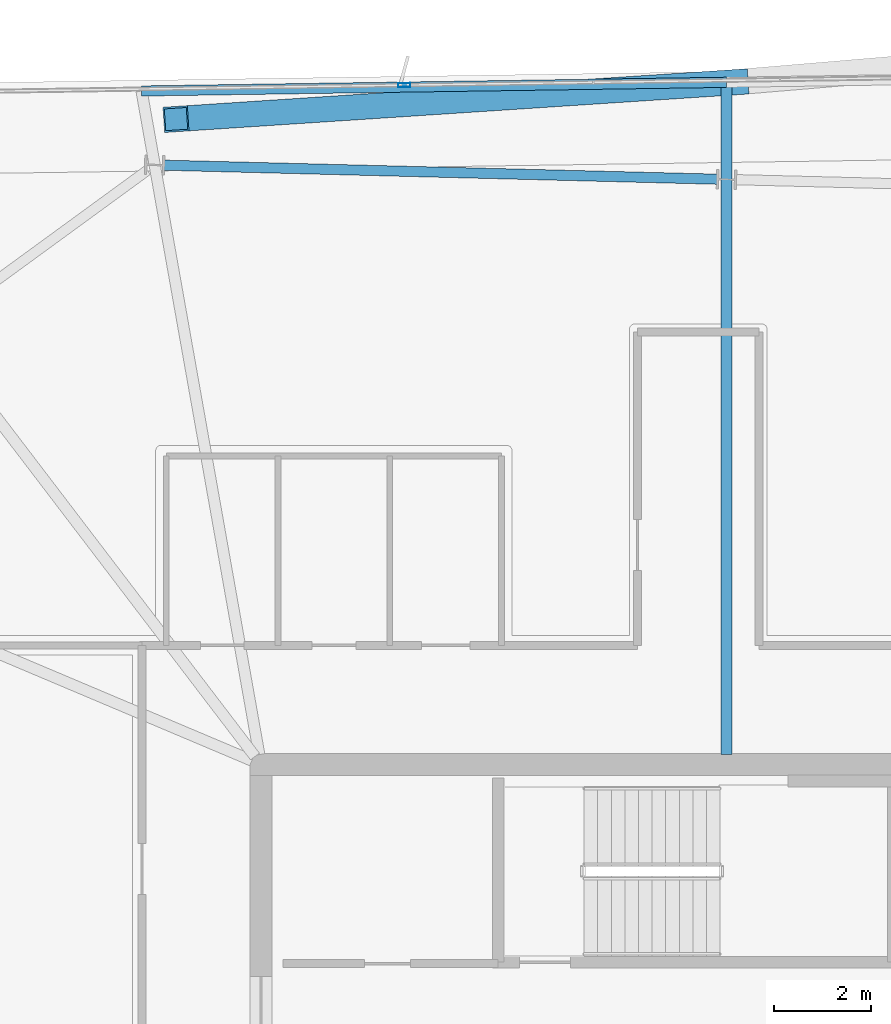
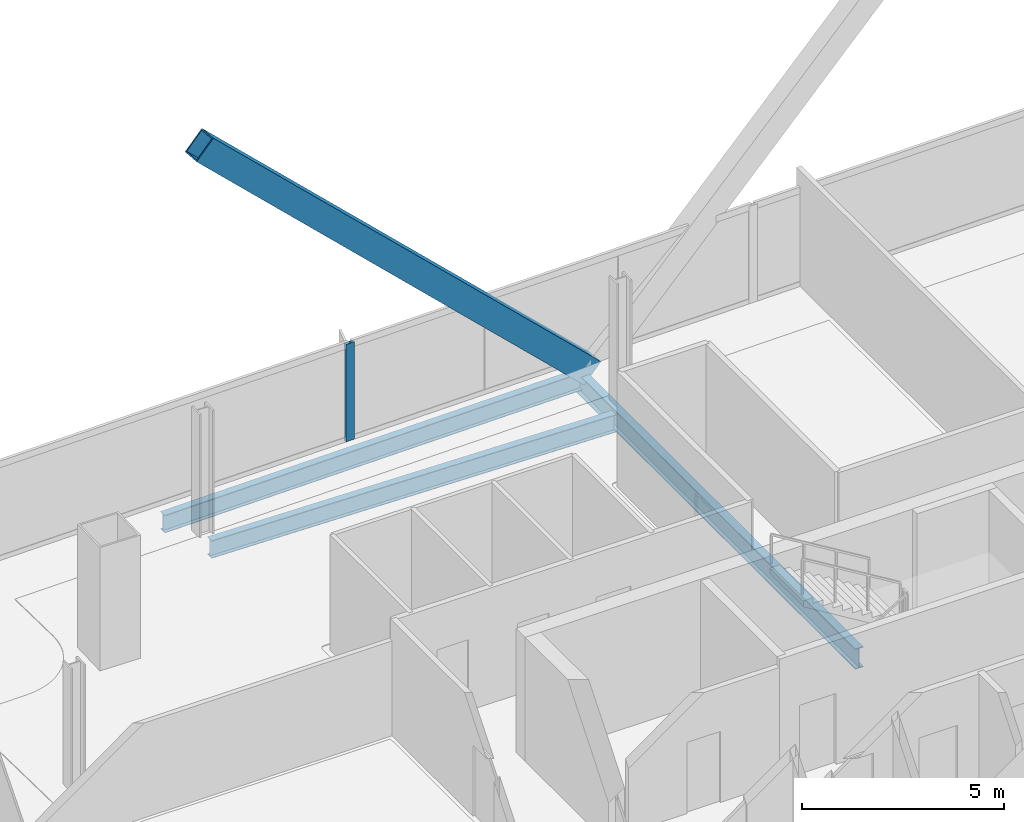
# One storey, part 15 of 25: 3 beams, 2 members, 1 element without a shape of its own.
"""IFC4 building model written with IfcOpenShell, lengths in metres."""

from ifc_helpers import new_model, si_unit, direction, frame, origin, origin_2d, place, context, subcontext, project, spatial, hollow_rectangle, i_section, extrude, material, material_profile, profile_set, type_object, element, aggregate, save


model = new_model("IFC4")

# Units and contexts
model_context = context("Model", 3, precision=1e-05, world=origin(), true_north=direction((0.0, 1.0)))
body_context = subcontext(model_context, "Body", "Model", "MODEL_VIEW")
ifc_project = project(units=[si_unit("LENGTHUNIT", "METRE"), si_unit("AREAUNIT", "SQUARE_METRE"), si_unit("VOLUMEUNIT", "CUBIC_METRE"), si_unit("PLANEANGLEUNIT", "RADIAN"), si_unit("MASSUNIT", "GRAM", prefix="KILO")], contexts=[model_context])

# Site, building, storey
site_placement = place(None, origin())
site = spatial("IfcSite", under=ifc_project, at=site_placement, CompositionType="ELEMENT")
building_placement = place(site_placement, origin())
building = spatial("IfcBuilding", under=site, at=building_placement, Name="Haldenkirk Collegiate Tower", CompositionType="ELEMENT")
storey_placement = place(building_placement, frame((0.0, 0.0, 332.699951171875)))
storey = spatial("IfcBuildingStorey", under=building, at=storey_placement, Name="L84", CompositionType="ELEMENT", Elevation=332.699951171875)

# Beams
ifc_material_1 = material(Name="Steel ASTM A992 Grade 50", Category="steel")
ifc_material_profile_1 = material_profile(ifc_material_1, i_section(OverallWidth=0.22998046875, OverallDepth=0.616943359375, WebThickness=0.01318359375, FlangeThickness=0.022216796875, at=origin_2d()), Name="W24X94")
ifc_profile_set_1 = profile_set([ifc_material_profile_1], Name="Steel ASTM A992 Grade 50")
beam_type_1 = type_object("IfcBeamType", Name="BM-GIRDER-W24X94", PredefinedType="BEAM", material=ifc_profile_set_1)
beam_1_placement = place(storey_placement, frame((36.582275390625, 48.041015625, -0.568359375), z_axis=(0.0, -1.0, 0.0), x_axis=(1.0, 0.0, 0.0)))
element("IfcBeam", 1, at=beam_1_placement, inside=storey, type_object=beam_type_1, Name="L84 primary floor girder 09", PredefinedType="BEAM", context=body_context, shape_type="SweptSolid", body=[
    extrude(i_section(OverallWidth=0.22998046875, OverallDepth=0.616943359375, WebThickness=0.01318359375, FlangeThickness=0.022216796875, at=origin_2d()), origin(), (0.0, 0.0, 1.0), 13.8359375),
])
ifc_material_profile_2 = material_profile(ifc_material_1, i_section(OverallWidth=0.2099609375, OverallDepth=0.537109375, WebThickness=0.010986328125, FlangeThickness=0.017333984375, at=origin_2d()), Name="W21X68")
ifc_profile_set_2 = profile_set([ifc_material_profile_2], Name="Steel ASTM A992 Grade 50")
beam_type_2 = type_object("IfcBeamType", Name="BM-SPANDREL-W21X68", PredefinedType="SPANDREL", material=ifc_profile_set_2)
beam_2_placement = place(storey_placement, frame((36.394287109375, 46.04638671875, -0.528564453125), z_axis=(-0.999680042221, 0.02529452876, 0.0), x_axis=(-0.02529452876, -0.999680042221, 0.0)))
element("IfcBeam", 2, at=beam_2_placement, inside=storey, type_object=beam_type_2, Name="L84 perimeter spandrel beam 07", PredefinedType="SPANDREL", context=body_context, shape_type="SweptSolid", body=[
    extrude(i_section(OverallWidth=0.2099609375, OverallDepth=0.537109375, WebThickness=0.010986328125, FlangeThickness=0.017333984375, at=origin_2d()), origin(), (0.0, 0.0, 1.0), 11.39892578125),
])
beam_3_placement = place(storey_placement, frame((36.582275390625, 48.041015625, -0.528564453125), z_axis=(-0.999889882415, -0.014839913909, 0.0), x_axis=(0.014839913909, -0.999889882415, 0.0)))
element("IfcBeam", 3, at=beam_3_placement, inside=storey, type_object=beam_type_2, Name="L84 outer facade edge beam 2B", PredefinedType="SPANDREL", context=body_context, shape_type="SweptSolid", body=[
    extrude(i_section(OverallWidth=0.2099609375, OverallDepth=0.537109375, WebThickness=0.010986328125, FlangeThickness=0.017333984375, at=origin_2d()), origin(), (0.0, 0.0, 1.0), 12.04248046875),
])

# Curtain wall, member
ifc_material_2 = material(Name="Anodised architectural bronze aluminium", Category="aluminium")
curtain_wall_type = type_object("IfcCurtainWallType", Name="CW-SYS1B-CONVEX-HI", PredefinedType="USERDEFINED", material=ifc_material_2)
curtain_wall_placement = place(storey_placement, origin())
curtain_wall = element("IfcCurtainWall", 4, at=curtain_wall_placement, inside=storey, type_object=curtain_wall_type, Name="L84 Upper tower high-wind convex bronze unitised curtain wall", ObjectType="UNITISED CURTAIN WALL", PredefinedType="USERDEFINED")
ifc_material_profile_3 = material_profile(ifc_material_2, hollow_rectangle(XDim=0.0849609375, YDim=0.25, WallThickness=0.0048828125, at=origin_2d()), Name="CW-MUL-1B")
ifc_profile_set_3 = profile_set([ifc_material_profile_3], Name="Anodised architectural bronze aluminium")
member_type_1 = type_object("IfcMemberType", Name="CW-MUL-1B", PredefinedType="MULLION", material=ifc_profile_set_3)
member_1_placement = place(storey_placement, frame((29.9482421875, 47.982666015625, 0.0), z_axis=(0.0, 0.0, 1.0), x_axis=(-0.014832959269, 0.999889985608, 0.0)))
member_1 = element("IfcMember", 5, at=member_1_placement, type_object=member_type_1, Name="CW-1B mullion 2", PredefinedType="MULLION", context=body_context, shape_type="SweptSolid", body=[
    extrude(hollow_rectangle(XDim=0.0849609375, YDim=0.25, WallThickness=0.0048828125, at=origin_2d()), origin(), (0.0, 0.0, 1.0), 2.947998046875),
])
aggregate(curtain_wall, [member_1])

# Member
ifc_material_3 = material(Name="Steel ASTM A572 Grade 50", Category="steel")
ifc_material_profile_4 = material_profile(ifc_material_3, hollow_rectangle(XDim=0.52001953125, YDim=0.719970703125, WallThickness=0.035888671875, at=origin_2d()), Name="BOX720X520X36")
ifc_profile_set_4 = profile_set([ifc_material_profile_4], Name="Steel ASTM A572 Grade 50")
member_type_2 = type_object("IfcMemberType", Name="MBR-MEGABRACE-BOX720X520X36", PredefinedType="BRACE", material=ifc_profile_set_4)
member_2_placement = place(storey_placement, frame((36.77587890625, 48.0439453125, -0.27001953125), z_axis=(-0.714823911858, -0.047135073874, 0.697714167727), x_axis=(0.065796532869, -0.997833060317, 0.0)))
element("IfcMember", 6, at=member_2_placement, inside=storey, type_object=member_type_2, Name="Perimeter Mega Brace Z6 L84-L86 ER", PredefinedType="BRACE", context=body_context, shape_type="SweptSolid", body=[
    extrude(hollow_rectangle(XDim=0.52001953125, YDim=0.719970703125, WallThickness=0.035888671875, at=origin_2d()), origin(), (0.0, 0.0, 1.0), 16.1240234375),
])

save(model, "model.ifc")
